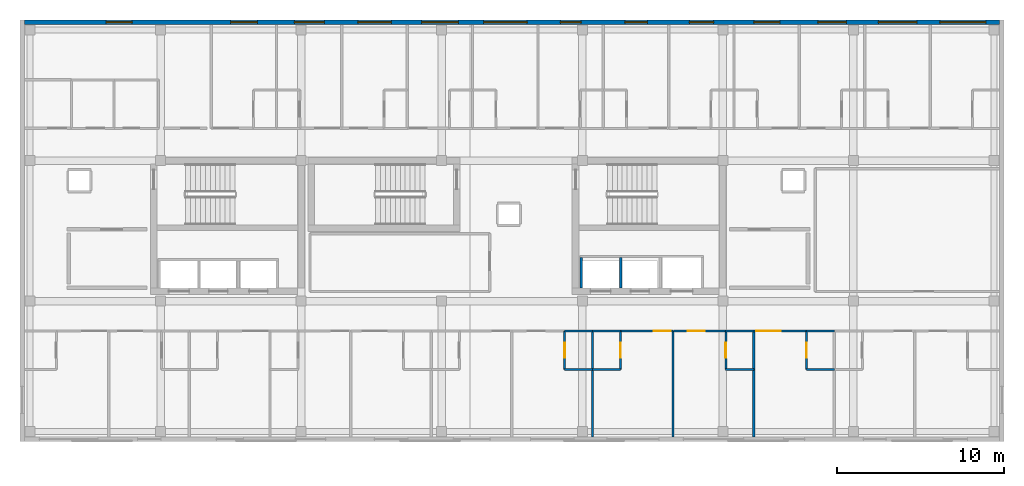
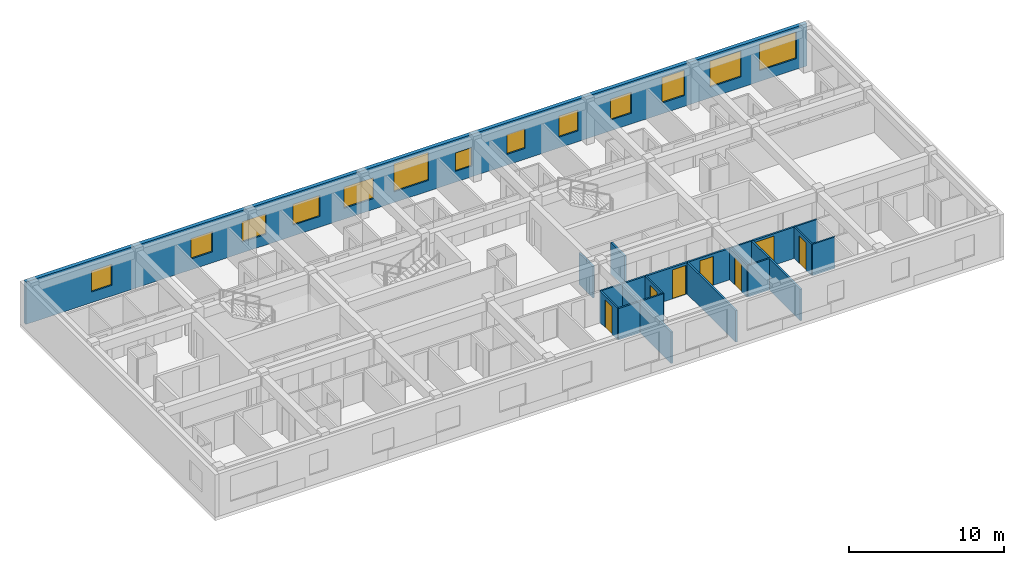
# One storey, part 5 of 9: 21 walls, 13 windows, 7 doors, 20 openings.
"""IFC4 building model written with IfcOpenShell, lengths in metres."""

from ifc_helpers import new_model, si_unit, direction, frame, frame_2d, origin, place, context, subcontext, project, spatial, rectangle, extrude, material, layer, layer_set, type_object, element, fill, save


model = new_model("IFC4")

# Units and contexts
model_context = context("Model", 3, precision=1e-05, world=origin(), true_north=direction((0.0, 1.0)))
body_context = subcontext(model_context, "Body", "Model", "MODEL_VIEW")
ifc_project = project(units=[si_unit("LENGTHUNIT", "METRE"), si_unit("AREAUNIT", "SQUARE_METRE"), si_unit("VOLUMEUNIT", "CUBIC_METRE"), si_unit("PLANEANGLEUNIT", "RADIAN"), si_unit("MASSUNIT", "GRAM", prefix="KILO")], contexts=[model_context])

# Site, building, storey
site_placement = place(None, origin())
site = spatial("IfcSite", under=ifc_project, at=site_placement, CompositionType="ELEMENT")
building_placement = place(site_placement, origin())
building = spatial("IfcBuilding", under=site, at=building_placement, Name="Zayran Congress Hotel", CompositionType="ELEMENT")
storey_placement = place(building_placement, frame((0.0, 0.0, 37.199951171875)))
storey = spatial("IfcBuildingStorey", under=building, at=storey_placement, Name="L09", CompositionType="ELEMENT", Elevation=37.199951171875)

# Wall, openings, windows
ifc_material_1 = material(Name="Hajar Ma'ani limestone cavity wall and concrete C32/40", Category="masonry")
ifc_layer_1 = layer(ifc_material_1, 0.280029296875)
ifc_layer_set_1 = layer_set([ifc_layer_1], Name="Hajar Ma'ani limestone cavity wall and concrete C32/40")
wall_type_1 = type_object("IfcWallType", Name="WL-EX-280", PredefinedType="SOLIDWALL", material=ifc_layer_set_1)
wall_1_placement = place(storey_placement, frame((17.080078125, 33.860107421875, 0.0), z_axis=(0.0, 0.0, 1.0), x_axis=(1.0, 0.0, 0.0)))
wall_1 = element("IfcWall", 1, at=wall_1_placement, inside=storey, type_object=wall_type_1, Name="EW-V5-N-L09", PredefinedType="SOLIDWALL", context=body_context, shape_type="SweptSolid", body=[
    extrude(rectangle(XDim=58.239990234375, YDim=0.280029296875, at=frame_2d((29.1201171875, 0.0))), origin(), (0.0, 0.0, 1.0), 3.340087890625),
])
opening_1_placement = place(wall_1_placement, frame((4.8701171875, 0.0, 0.85009765625)))
opening_1 = element("IfcOpeningElement", 2, at=opening_1_placement, cuts=wall_1, Name="Opening WN-26", PredefinedType="OPENING", context=body_context, shape_type="SweptSolid", body=[
    extrude(rectangle(XDim=1.550048828125, YDim=1.64990234375, at=frame_2d((0.77490234375, 0.824951171875))), frame((0.0, 0.14990234375, 0.0), z_axis=(0.0, -1.0, 0.0), x_axis=(1.0, 0.0, 0.0)), (0.0, 0.0, 1.0), 0.300048828125),
])
opening_2_placement = place(wall_1_placement, frame((12.302978515625, 0.0, 0.85009765625)))
opening_2 = element("IfcOpeningElement", 3, at=opening_2_placement, cuts=wall_1, Name="Opening WN-15", PredefinedType="OPENING", context=body_context, shape_type="SweptSolid", body=[
    extrude(rectangle(XDim=1.60009765625, YDim=1.60009765625, at=frame_2d((0.800048828125, 0.800048828125))), frame((0.0, 0.14990234375, 0.0), z_axis=(0.0, -1.0, 0.0), x_axis=(1.0, 0.0, 0.0)), (0.0, 0.0, 1.0), 0.300048828125),
])
opening_3_placement = place(wall_1_placement, frame((16.10888671875, 0.0, 0.85009765625)))
opening_3 = element("IfcOpeningElement", 4, at=opening_3_placement, cuts=wall_1, Name="Opening WN-16", PredefinedType="OPENING", context=body_context, shape_type="SweptSolid", body=[
    extrude(rectangle(XDim=1.800048828125, YDim=1.60009765625, at=frame_2d((0.89990234375, 0.800048828125))), frame((0.0, 0.14990234375, 0.0), z_axis=(0.0, -1.0, 0.0), x_axis=(1.0, 0.0, 0.0)), (0.0, 0.0, 1.0), 0.300048828125),
])
opening_4_placement = place(wall_1_placement, frame((19.9150390625, 0.0, 0.85009765625)))
opening_4 = element("IfcOpeningElement", 5, at=opening_4_placement, cuts=wall_1, Name="Opening WN-17", PredefinedType="OPENING", context=body_context, shape_type="SweptSolid", body=[
    extrude(rectangle(XDim=2.0, YDim=1.64990234375, at=frame_2d((1.0, 0.824951171875))), frame((0.0, 0.14990234375, 0.0), z_axis=(0.0, -1.0, 0.0), x_axis=(1.0, 0.0, 0.0)), (0.0, 0.0, 1.0), 0.300048828125),
])
opening_5_placement = place(wall_1_placement, frame((23.719970703125, 0.0, 0.85009765625)))
opening_5 = element("IfcOpeningElement", 6, at=opening_5_placement, cuts=wall_1, Name="Opening WN-18", PredefinedType="OPENING", context=body_context, shape_type="SweptSolid", body=[
    extrude(rectangle(XDim=2.199951171875, YDim=1.64990234375, at=frame_2d((1.10009765625, 0.824951171875))), frame((0.0, 0.14990234375, 0.0), z_axis=(0.0, -1.0, 0.0), x_axis=(1.0, 0.0, 0.0)), (0.0, 0.0, 1.0), 0.300048828125),
])
opening_6_placement = place(wall_1_placement, frame((27.426025390625, 0.0, 0.85009765625)))
opening_6 = element("IfcOpeningElement", 7, at=opening_6_placement, cuts=wall_1, Name="Opening WN-19", PredefinedType="OPENING", context=body_context, shape_type="SweptSolid", body=[
    extrude(rectangle(XDim=2.60009765625, YDim=2.199951171875, at=frame_2d((1.300048828125, 1.10009765625))), frame((0.0, 0.14990234375, 0.0), z_axis=(0.0, -1.0, 0.0), x_axis=(1.0, 0.0, 0.0)), (0.0, 0.0, 1.0), 0.300048828125),
])
opening_7_placement = place(wall_1_placement, frame((32.007080078125, 0.0, 0.85009765625)))
opening_7 = element("IfcOpeningElement", 8, at=opening_7_placement, cuts=wall_1, Name="Opening WN-23", PredefinedType="OPENING", context=body_context, shape_type="SweptSolid", body=[
    extrude(rectangle(XDim=1.25, YDim=1.449951171875, at=frame_2d((0.625, 0.72509765625))), frame((0.0, 0.14990234375, 0.0), z_axis=(0.0, -1.0, 0.0), x_axis=(1.0, 0.0, 0.0)), (0.0, 0.0, 1.0), 0.300048828125),
])
opening_8_placement = place(wall_1_placement, frame((35.863037109375, 0.0, 0.85009765625)))
opening_8 = element("IfcOpeningElement", 9, at=opening_8_placement, cuts=wall_1, Name="Opening WN-24", PredefinedType="OPENING", context=body_context, shape_type="SweptSolid", body=[
    extrude(rectangle(XDim=1.35009765625, YDim=1.550048828125, at=frame_2d((0.675048828125, 0.77490234375))), frame((0.0, 0.14990234375, 0.0), z_axis=(0.0, -1.0, 0.0), x_axis=(1.0, 0.0, 0.0)), (0.0, 0.0, 1.0), 0.300048828125),
])
opening_9_placement = place(wall_1_placement, frame((39.718994140625, 0.0, 0.85009765625)))
opening_9 = element("IfcOpeningElement", 10, at=opening_9_placement, cuts=wall_1, Name="Opening WN-25", PredefinedType="OPENING", context=body_context, shape_type="SweptSolid", body=[
    extrude(rectangle(XDim=1.449951171875, YDim=1.64990234375, at=frame_2d((0.72509765625, 0.824951171875))), frame((0.0, 0.14990234375, 0.0), z_axis=(0.0, -1.0, 0.0), x_axis=(1.0, 0.0, 0.0)), (0.0, 0.0, 1.0), 0.300048828125),
])
opening_10_placement = place(wall_1_placement, frame((43.574951171875, 0.0, 0.85009765625)))
opening_10 = element("IfcOpeningElement", 11, at=opening_10_placement, cuts=wall_1, Name="Opening WN-26", PredefinedType="OPENING", context=body_context, shape_type="SweptSolid", body=[
    extrude(rectangle(XDim=1.550048828125, YDim=1.64990234375, at=frame_2d((0.77490234375, 0.824951171875))), frame((0.0, 0.14990234375, 0.0), z_axis=(0.0, -1.0, 0.0), x_axis=(1.0, 0.0, 0.0)), (0.0, 0.0, 1.0), 0.300048828125),
])
opening_11_placement = place(wall_1_placement, frame((47.405029296875, 0.0, 0.85009765625)))
opening_11 = element("IfcOpeningElement", 12, at=opening_11_placement, cuts=wall_1, Name="Opening WN-27", PredefinedType="OPENING", context=body_context, shape_type="SweptSolid", body=[
    extrude(rectangle(XDim=1.699951171875, YDim=2.0, at=frame_2d((0.85009765625, 1.0))), frame((0.0, 0.14990234375, 0.0), z_axis=(0.0, -1.0, 0.0), x_axis=(1.0, 0.0, 0.0)), (0.0, 0.0, 1.0), 0.300048828125),
])
opening_12_placement = place(wall_1_placement, frame((51.010986328125, 0.0, 0.85009765625)))
opening_12 = element("IfcOpeningElement", 13, at=opening_12_placement, cuts=wall_1, Name="Opening WN-28", PredefinedType="OPENING", context=body_context, shape_type="SweptSolid", body=[
    extrude(rectangle(XDim=2.300048828125, YDim=2.050048828125, at=frame_2d((1.14990234375, 1.02490234375))), frame((0.0, 0.14990234375, 0.0), z_axis=(0.0, -1.0, 0.0), x_axis=(1.0, 0.0, 0.0)), (0.0, 0.0, 1.0), 0.300048828125),
])
opening_13_placement = place(wall_1_placement, frame((54.69189453125, 0.0, 0.85009765625)))
opening_13 = element("IfcOpeningElement", 14, at=opening_13_placement, cuts=wall_1, Name="Opening WN-29", PredefinedType="OPENING", context=body_context, shape_type="SweptSolid", body=[
    extrude(rectangle(XDim=2.75, YDim=2.10009765625, at=frame_2d((1.375, 1.050048828125))), frame((0.0, 0.14990234375, 0.0), z_axis=(0.0, -1.0, 0.0), x_axis=(1.0, 0.0, 0.0)), (0.0, 0.0, 1.0), 0.300048828125),
])
ifc_material_2 = material(Name="Anodised aluminium and low-E insulated glass", Category="aluminium")
window_type_1 = type_object("IfcWindowType", Name="TP-WN-15", PartitioningType="SINGLE_PANEL", PredefinedType="WINDOW", material=ifc_material_2)
window_1_placement = place(opening_2_placement, origin())
window_1 = element("IfcWindow", 15, at=window_1_placement, inside=storey, type_object=window_type_1, Name="WIN-V5N-L09-0430", OverallHeight=1.60009765625, OverallWidth=1.60009765625, PartitioningType="SINGLE_PANEL", PredefinedType="WINDOW", context=body_context, shape_type="SweptSolid", body=[
    extrude(rectangle(XDim=1.60009765625, YDim=1.60009765625, at=frame_2d((0.800048828125, 0.800048828125))), frame((0.0, 0.030029296875, 0.0), z_axis=(0.0, -1.0, 0.0), x_axis=(1.0, 0.0, 0.0)), (0.0, 0.0, 1.0), 0.06005859375),
])
fill(opening_2, window_1)
window_type_2 = type_object("IfcWindowType", Name="TP-WN-16", PartitioningType="DOUBLE_PANEL_VERTICAL", PredefinedType="WINDOW", material=ifc_material_2)
window_2_placement = place(opening_3_placement, origin())
window_2 = element("IfcWindow", 16, at=window_2_placement, inside=storey, type_object=window_type_2, Name="WIN-V5N-L09-0431", OverallHeight=1.60009765625, OverallWidth=1.800048828125, PartitioningType="SINGLE_PANEL", PredefinedType="WINDOW", context=body_context, shape_type="SweptSolid", body=[
    extrude(rectangle(XDim=1.800048828125, YDim=1.60009765625, at=frame_2d((0.89990234375, 0.800048828125))), frame((0.0, 0.030029296875, 0.0), z_axis=(0.0, -1.0, 0.0), x_axis=(1.0, 0.0, 0.0)), (0.0, 0.0, 1.0), 0.06005859375),
])
fill(opening_3, window_2)
window_type_3 = type_object("IfcWindowType", Name="TP-WN-17", PartitioningType="DOUBLE_PANEL_VERTICAL", PredefinedType="WINDOW", material=ifc_material_2)
window_3_placement = place(opening_4_placement, origin())
window_3 = element("IfcWindow", 17, at=window_3_placement, inside=storey, type_object=window_type_3, Name="WIN-V5N-L09-0432", OverallHeight=1.64990234375, OverallWidth=2.0, PartitioningType="SINGLE_PANEL", PredefinedType="WINDOW", context=body_context, shape_type="SweptSolid", body=[
    extrude(rectangle(XDim=2.0, YDim=1.64990234375, at=frame_2d((1.0, 0.824951171875))), frame((0.0, 0.030029296875, 0.0), z_axis=(0.0, -1.0, 0.0), x_axis=(1.0, 0.0, 0.0)), (0.0, 0.0, 1.0), 0.06005859375),
])
fill(opening_4, window_3)
window_type_4 = type_object("IfcWindowType", Name="TP-WN-18", PartitioningType="DOUBLE_PANEL_VERTICAL", PredefinedType="WINDOW", material=ifc_material_2)
window_4_placement = place(opening_5_placement, origin())
window_4 = element("IfcWindow", 18, at=window_4_placement, inside=storey, type_object=window_type_4, Name="WIN-V5N-L09-0433", OverallHeight=1.64990234375, OverallWidth=2.199951171875, PartitioningType="SINGLE_PANEL", PredefinedType="WINDOW", context=body_context, shape_type="SweptSolid", body=[
    extrude(rectangle(XDim=2.199951171875, YDim=1.64990234375, at=frame_2d((1.10009765625, 0.824951171875))), frame((0.0, 0.030029296875, 0.0), z_axis=(0.0, -1.0, 0.0), x_axis=(1.0, 0.0, 0.0)), (0.0, 0.0, 1.0), 0.06005859375),
])
fill(opening_5, window_4)
window_type_5 = type_object("IfcWindowType", Name="TP-WN-19", PartitioningType="DOUBLE_PANEL_VERTICAL", PredefinedType="WINDOW", material=ifc_material_2)
window_5_placement = place(opening_6_placement, origin())
window_5 = element("IfcWindow", 19, at=window_5_placement, inside=storey, type_object=window_type_5, Name="WIN-V5N-L09-0434", OverallHeight=2.199951171875, OverallWidth=2.60009765625, PartitioningType="SINGLE_PANEL", PredefinedType="WINDOW", context=body_context, shape_type="SweptSolid", body=[
    extrude(rectangle(XDim=2.60009765625, YDim=2.199951171875, at=frame_2d((1.300048828125, 1.10009765625))), frame((0.0, 0.030029296875, 0.0), z_axis=(0.0, -1.0, 0.0), x_axis=(1.0, 0.0, 0.0)), (0.0, 0.0, 1.0), 0.06005859375),
])
fill(opening_6, window_5)
window_type_6 = type_object("IfcWindowType", Name="TP-WN-23", PartitioningType="SINGLE_PANEL", PredefinedType="WINDOW", material=ifc_material_2)
window_6_placement = place(opening_7_placement, origin())
window_6 = element("IfcWindow", 20, at=window_6_placement, inside=storey, type_object=window_type_6, Name="WIN-V5N-L09-0435", OverallHeight=1.449951171875, OverallWidth=1.25, PartitioningType="SINGLE_PANEL", PredefinedType="WINDOW", context=body_context, shape_type="SweptSolid", body=[
    extrude(rectangle(XDim=1.25, YDim=1.449951171875, at=frame_2d((0.625, 0.72509765625))), frame((0.0, 0.030029296875, 0.0), z_axis=(0.0, -1.0, 0.0), x_axis=(1.0, 0.0, 0.0)), (0.0, 0.0, 1.0), 0.06005859375),
])
fill(opening_7, window_6)
window_type_7 = type_object("IfcWindowType", Name="TP-WN-24", PartitioningType="SINGLE_PANEL", PredefinedType="WINDOW", material=ifc_material_2)
window_7_placement = place(opening_8_placement, origin())
window_7 = element("IfcWindow", 21, at=window_7_placement, inside=storey, type_object=window_type_7, Name="WIN-V5N-L09-0436", OverallHeight=1.550048828125, OverallWidth=1.35009765625, PartitioningType="SINGLE_PANEL", PredefinedType="WINDOW", context=body_context, shape_type="SweptSolid", body=[
    extrude(rectangle(XDim=1.35009765625, YDim=1.550048828125, at=frame_2d((0.675048828125, 0.77490234375))), frame((0.0, 0.030029296875, 0.0), z_axis=(0.0, -1.0, 0.0), x_axis=(1.0, 0.0, 0.0)), (0.0, 0.0, 1.0), 0.06005859375),
])
fill(opening_8, window_7)
window_type_8 = type_object("IfcWindowType", Name="TP-WN-25", PartitioningType="SINGLE_PANEL", PredefinedType="WINDOW", material=ifc_material_2)
window_8_placement = place(opening_9_placement, origin())
window_8 = element("IfcWindow", 22, at=window_8_placement, inside=storey, type_object=window_type_8, Name="WIN-V5N-L09-0437", OverallHeight=1.64990234375, OverallWidth=1.449951171875, PartitioningType="SINGLE_PANEL", PredefinedType="WINDOW", context=body_context, shape_type="SweptSolid", body=[
    extrude(rectangle(XDim=1.449951171875, YDim=1.64990234375, at=frame_2d((0.72509765625, 0.824951171875))), frame((0.0, 0.030029296875, 0.0), z_axis=(0.0, -1.0, 0.0), x_axis=(1.0, 0.0, 0.0)), (0.0, 0.0, 1.0), 0.06005859375),
])
fill(opening_9, window_8)
window_type_9 = type_object("IfcWindowType", Name="TP-WN-26", PartitioningType="SINGLE_PANEL", PredefinedType="WINDOW", material=ifc_material_2)
window_9_placement = place(opening_1_placement, origin())
window_9 = element("IfcWindow", 23, at=window_9_placement, inside=storey, type_object=window_type_9, Name="WIN-V5N-L09-0429", OverallHeight=1.64990234375, OverallWidth=1.550048828125, PartitioningType="SINGLE_PANEL", PredefinedType="WINDOW", context=body_context, shape_type="SweptSolid", body=[
    extrude(rectangle(XDim=1.550048828125, YDim=1.64990234375, at=frame_2d((0.77490234375, 0.824951171875))), frame((0.0, 0.030029296875, 0.0), z_axis=(0.0, -1.0, 0.0), x_axis=(1.0, 0.0, 0.0)), (0.0, 0.0, 1.0), 0.06005859375),
])
fill(opening_1, window_9)
window_10_placement = place(opening_10_placement, origin())
window_10 = element("IfcWindow", 24, at=window_10_placement, inside=storey, type_object=window_type_9, Name="WIN-V5N-L09-0438", OverallHeight=1.64990234375, OverallWidth=1.550048828125, PartitioningType="SINGLE_PANEL", PredefinedType="WINDOW", context=body_context, shape_type="SweptSolid", body=[
    extrude(rectangle(XDim=1.550048828125, YDim=1.64990234375, at=frame_2d((0.77490234375, 0.824951171875))), frame((0.0, 0.030029296875, 0.0), z_axis=(0.0, -1.0, 0.0), x_axis=(1.0, 0.0, 0.0)), (0.0, 0.0, 1.0), 0.06005859375),
])
fill(opening_10, window_10)
window_type_10 = type_object("IfcWindowType", Name="TP-WN-27", PartitioningType="DOUBLE_PANEL_VERTICAL", PredefinedType="WINDOW", material=ifc_material_2)
window_11_placement = place(opening_11_placement, origin())
window_11 = element("IfcWindow", 25, at=window_11_placement, inside=storey, type_object=window_type_10, Name="WIN-V5N-L09-0439", OverallHeight=2.0, OverallWidth=1.699951171875, PartitioningType="SINGLE_PANEL", PredefinedType="WINDOW", context=body_context, shape_type="SweptSolid", body=[
    extrude(rectangle(XDim=1.699951171875, YDim=2.0, at=frame_2d((0.85009765625, 1.0))), frame((0.0, 0.030029296875, 0.0), z_axis=(0.0, -1.0, 0.0), x_axis=(1.0, 0.0, 0.0)), (0.0, 0.0, 1.0), 0.06005859375),
])
fill(opening_11, window_11)
window_type_11 = type_object("IfcWindowType", Name="TP-WN-28", PartitioningType="DOUBLE_PANEL_VERTICAL", PredefinedType="WINDOW", material=ifc_material_2)
window_12_placement = place(opening_12_placement, origin())
window_12 = element("IfcWindow", 26, at=window_12_placement, inside=storey, type_object=window_type_11, Name="WIN-V5N-L09-0440", OverallHeight=2.050048828125, OverallWidth=2.300048828125, PartitioningType="SINGLE_PANEL", PredefinedType="WINDOW", context=body_context, shape_type="SweptSolid", body=[
    extrude(rectangle(XDim=2.300048828125, YDim=2.050048828125, at=frame_2d((1.14990234375, 1.02490234375))), frame((0.0, 0.030029296875, 0.0), z_axis=(0.0, -1.0, 0.0), x_axis=(1.0, 0.0, 0.0)), (0.0, 0.0, 1.0), 0.06005859375),
])
fill(opening_12, window_12)
window_type_12 = type_object("IfcWindowType", Name="TP-WN-29", PartitioningType="TRIPLE_PANEL_VERTICAL", PredefinedType="WINDOW", material=ifc_material_2)
window_13_placement = place(opening_13_placement, origin())
window_13 = element("IfcWindow", 27, at=window_13_placement, inside=storey, type_object=window_type_12, Name="WIN-V5N-L09-0441", OverallHeight=2.10009765625, OverallWidth=2.75, PartitioningType="SINGLE_PANEL", PredefinedType="WINDOW", context=body_context, shape_type="SweptSolid", body=[
    extrude(rectangle(XDim=2.75, YDim=2.10009765625, at=frame_2d((1.375, 1.050048828125))), frame((0.0, 0.030029296875, 0.0), z_axis=(0.0, -1.0, 0.0), x_axis=(1.0, 0.0, 0.0)), (0.0, 0.0, 1.0), 0.06005859375),
])
fill(opening_13, window_13)

# Walls
ifc_material_3 = material(Name="Hospitality guestroom acoustic partition", Category="gypsum")
ifc_layer_2 = layer(ifc_material_3, 0.139892578125)
ifc_layer_set_2 = layer_set([ifc_layer_2], Name="Hospitality guestroom acoustic partition")
wall_type_2 = type_object("IfcWallType", Name="WL-PT-140", PredefinedType="PARTITIONING", material=ifc_layer_set_2)
for number, where, z_axis, x_axis, name in (
    (28, (50.330078125, 18.0, 0.0), (0.0, 0.0, 1.0), (0.0, 1.0, 0.0), "LSHW-C-V5E-L09-W"),
    (29, (52.699951171875, 18.0, 0.0), (0.0, 0.0, 1.0), (0.0, 1.0, 0.0), "LSHW-C-V5E-L09-DIV1"),
):
    element("IfcWall", number, at=place(storey_placement, frame(where, z_axis=z_axis, x_axis=x_axis)), inside=storey, type_object=wall_type_2, Name=name, PredefinedType="PARTITIONING", context=body_context, shape_type="SweptSolid", body=[
        extrude(rectangle(XDim=1.800048828125, YDim=0.139892578125, at=frame_2d((0.89990234375, 0.0))), origin(), (0.0, 0.0, 1.0), 2.469970703125),
    ])

# Wall, opening, door
wall_2_placement = place(storey_placement, frame((52.68701171875, 15.419921875, 0.0), z_axis=(0.0, 0.0, 1.0), x_axis=(1.0, 0.0, 0.0)))
wall_2 = element("IfcWall", 30, at=wall_2_placement, inside=storey, type_object=wall_type_2, Name="IW-L09-0793", PredefinedType="PARTITIONING", context=body_context, shape_type="SweptSolid", body=[
    extrude(rectangle(XDim=3.135986328125, YDim=0.139892578125, at=frame_2d((1.56787109375, 0.0))), origin(), (0.0, 0.0, 1.0), 2.47998046875),
])
opening_14_placement = place(wall_2_placement, frame((1.99609375, 0.0, 0.0)))
opening_14 = element("IfcOpeningElement", 31, at=opening_14_placement, cuts=wall_2, Name="Opening DR-GR-04", PredefinedType="OPENING", context=body_context, shape_type="SweptSolid", body=[
    extrude(rectangle(XDim=1.0, YDim=2.280029296875, at=frame_2d((0.5, 1.14013671875))), frame((0.0, 0.079833984375, 0.0), z_axis=(0.0, -1.0, 0.0), x_axis=(1.0, 0.0, 0.0)), (0.0, 0.0, 1.0), 0.159912109375),
])
ifc_material_4 = material(Name="Diplomatic walnut veneer entry door", Category="wood")
door_type_1 = type_object("IfcDoorType", Name="TP-DR-GR-04", OperationType="NOTDEFINED", PredefinedType="DOOR", material=ifc_material_4)
door_1_placement = place(opening_14_placement, origin())
door_1 = element("IfcDoor", 32, at=door_1_placement, inside=storey, type_object=door_type_1, Name="Guest Room L09-08 Door", OperationType="SINGLE_SWING_RIGHT", OverallHeight=2.280029296875, OverallWidth=1.0, PredefinedType="DOOR", context=body_context, shape_type="SweptSolid", body=[
    extrude(rectangle(XDim=1.0, YDim=2.280029296875, at=frame_2d((0.5, 1.14013671875))), frame((0.0, 0.02490234375, 0.0), z_axis=(0.0, -1.0, 0.0), x_axis=(1.0, 0.0, 0.0)), (0.0, 0.0, 1.0), 0.050048828125),
])
fill(opening_14, door_1)

wall_3_placement = place(storey_placement, frame((55.843017578125, 15.419921875, 0.0), z_axis=(0.0, 0.0, 1.0), x_axis=(1.0, 0.0, 0.0)))
wall_3 = element("IfcWall", 33, at=wall_3_placement, inside=storey, type_object=wall_type_2, Name="IW-L09-0794", PredefinedType="PARTITIONING", context=body_context, shape_type="SweptSolid", body=[
    extrude(rectangle(XDim=3.136962890625, YDim=0.139892578125, at=frame_2d((1.568359375, 0.0))), origin(), (0.0, 0.0, 1.0), 2.47998046875),
])
opening_15_placement = place(wall_3_placement, frame((0.8701171875, 0.0, 0.0)))
opening_15 = element("IfcOpeningElement", 34, at=opening_15_placement, cuts=wall_3, Name="Opening DR-GR-04", PredefinedType="OPENING", context=body_context, shape_type="SweptSolid", body=[
    extrude(rectangle(XDim=1.0, YDim=2.280029296875, at=frame_2d((0.5, 1.14013671875))), frame((0.0, 0.079833984375, 0.0), z_axis=(0.0, -1.0, 0.0), x_axis=(1.0, 0.0, 0.0)), (0.0, 0.0, 1.0), 0.159912109375),
])
door_2_placement = place(opening_15_placement, origin())
door_2 = element("IfcDoor", 35, at=door_2_placement, inside=storey, type_object=door_type_1, Name="Guest Room L09-09 Door", OperationType="SINGLE_SWING_LEFT", OverallHeight=2.280029296875, OverallWidth=1.0, PredefinedType="DOOR", context=body_context, shape_type="SweptSolid", body=[
    extrude(rectangle(XDim=1.0, YDim=2.280029296875, at=frame_2d((0.5, 1.14013671875))), frame((0.0, 0.02490234375, 0.0), z_axis=(0.0, -1.0, 0.0), x_axis=(1.0, 0.0, 0.0)), (0.0, 0.0, 1.0), 0.050048828125),
])
fill(opening_15, door_2)

wall_4_placement = place(storey_placement, frame((60.659912109375, 15.419921875, 0.0), z_axis=(0.0, 0.0, 1.0), x_axis=(1.0, 0.0, 0.0)))
wall_4 = element("IfcWall", 36, at=wall_4_placement, inside=storey, type_object=wall_type_2, Name="IW-L09-0795", PredefinedType="PARTITIONING", context=body_context, shape_type="SweptSolid", body=[
    extrude(rectangle(XDim=3.13720703125, YDim=0.139892578125, at=frame_2d((1.568603515625, 0.0))), origin(), (0.0, 0.0, 1.0), 2.47998046875),
])
opening_16_placement = place(wall_4_placement, frame((0.139892578125, 0.0, 0.0)))
opening_16 = element("IfcOpeningElement", 37, at=opening_16_placement, cuts=wall_4, Name="Opening DR-ST-01", PredefinedType="OPENING", context=body_context, shape_type="SweptSolid", body=[
    extrude(rectangle(XDim=1.449951171875, YDim=2.300048828125, at=frame_2d((0.72509765625, 1.14990234375))), frame((0.0, 0.079833984375, 0.0), z_axis=(0.0, -1.0, 0.0), x_axis=(1.0, 0.0, 0.0)), (0.0, 0.0, 1.0), 0.159912109375),
])
ifc_material_5 = material(Name="Double walnut veneer suite entry door", Category="wood")
door_type_2 = type_object("IfcDoorType", Name="TP-DR-ST-01", OperationType="DOUBLE_DOOR_SINGLE_SWING", PredefinedType="DOOR", material=ifc_material_5)
door_3_placement = place(opening_16_placement, origin())
door_3 = element("IfcDoor", 38, at=door_3_placement, inside=storey, type_object=door_type_2, Name="Junior Suite L09-10 Door", OperationType="DOUBLE_DOOR_SINGLE_SWING", OverallHeight=2.300048828125, OverallWidth=1.449951171875, PredefinedType="DOOR", context=body_context, shape_type="SweptSolid", body=[
    extrude(rectangle(XDim=1.449951171875, YDim=2.300048828125, at=frame_2d((0.72509765625, 1.14990234375))), frame((0.0, 0.02490234375, 0.0), z_axis=(0.0, -1.0, 0.0), x_axis=(1.0, 0.0, 0.0)), (0.0, 0.0, 1.0), 0.050048828125),
])
fill(opening_16, door_3)

# Walls
for number, where, z_axis, x_axis, name in (
    (39, (51.007080078125, 9.080078125, 0.0), (0.0, 0.0, 1.0), (0.0, 1.0, 0.0), "IW-L09-2128"),
    (40, (55.822998046875, 9.080078125, 0.0), (0.0, 0.0, 1.0), (0.0, 1.0, 0.0), "IW-L09-2129"),
    (41, (60.639892578125, 9.080078125, 0.0), (0.0, 0.0, 1.0), (0.0, 1.0, 0.0), "IW-L09-2130"),
):
    element("IfcWall", number, at=place(storey_placement, frame(where, z_axis=z_axis, x_axis=x_axis)), inside=storey, type_object=wall_type_2, Name=name, PredefinedType="PARTITIONING", context=body_context, shape_type="SweptSolid", body=[
        extrude(rectangle(XDim=6.349853515625, YDim=0.139892578125, at=frame_2d((3.1748046875, 0.0))), origin(), (0.0, 0.0, 1.0), 2.47998046875),
    ])

# Wall, opening, door
ifc_material_6 = material(Name="Moisture-resistant bathroom partition", Category="gypsum")
ifc_layer_3 = layer(ifc_material_6, 0.1201171875)
ifc_layer_set_3 = layer_set([ifc_layer_3], Name="Moisture-resistant bathroom partition")
wall_type_3 = type_object("IfcWallType", Name="WL-PT-120", PredefinedType="PARTITIONING", material=ifc_layer_set_3)
wall_5_placement = place(storey_placement, frame((49.346923828125, 13.1201171875, 0.0), z_axis=(0.0, 0.0, 1.0), x_axis=(0.0, 1.0, 0.0)))
wall_5 = element("IfcWall", 42, at=wall_5_placement, inside=storey, type_object=wall_type_3, Name="IW-L09-0277", PredefinedType="PARTITIONING", context=body_context, shape_type="SweptSolid", body=[
    extrude(rectangle(XDim=2.309814453125, YDim=0.1201171875, at=frame_2d((1.15478515625, 0.0))), origin(), (0.0, 0.0, 1.0), 2.47998046875),
])
opening_17_placement = place(wall_5_placement, frame((0.705078125, 0.0, 0.0)))
opening_17 = element("IfcOpeningElement", 43, at=opening_17_placement, cuts=wall_5, Name="Opening DR-BT-03", PredefinedType="OPENING", context=body_context, shape_type="SweptSolid", body=[
    extrude(rectangle(XDim=0.89990234375, YDim=2.179931640625, at=frame_2d((0.449951171875, 1.08984375))), frame((0.0, 0.070068359375, 0.0), z_axis=(0.0, -1.0, 0.0), x_axis=(1.0, 0.0, 0.0)), (0.0, 0.0, 1.0), 0.14013671875),
])
ifc_material_7 = material(Name="Suite oak en-suite bathroom door", Category="wood")
door_type_3 = type_object("IfcDoorType", Name="TP-DR-BT-03", OperationType="NOTDEFINED", PredefinedType="DOOR", material=ifc_material_7)
door_4_placement = place(opening_17_placement, origin())
door_4 = element("IfcDoor", 44, at=door_4_placement, inside=storey, type_object=door_type_3, Name="En-Suite Bathroom L09-07 Door", OperationType="SINGLE_SWING_RIGHT", OverallHeight=2.179931640625, OverallWidth=0.89990234375, PredefinedType="DOOR", context=body_context, shape_type="SweptSolid", body=[
    extrude(rectangle(XDim=0.89990234375, YDim=2.179931640625, at=frame_2d((0.449951171875, 1.08984375))), frame((0.0, 0.02490234375, 0.0), z_axis=(0.0, -1.0, 0.0), x_axis=(1.0, 0.0, 0.0)), (0.0, 0.0, 1.0), 0.050048828125),
])
fill(opening_17, door_4)

wall_6_placement = place(storey_placement, frame((52.68701171875, 13.1201171875, 0.0), z_axis=(0.0, 0.0, 1.0), x_axis=(0.0, 1.0, 0.0)))
wall_6 = element("IfcWall", 45, at=wall_6_placement, inside=storey, type_object=wall_type_3, Name="IW-L09-0278", PredefinedType="PARTITIONING", context=body_context, shape_type="SweptSolid", body=[
    extrude(rectangle(XDim=2.309814453125, YDim=0.1201171875, at=frame_2d((1.15478515625, 0.0))), origin(), (0.0, 0.0, 1.0), 2.47998046875),
])
opening_18_placement = place(wall_6_placement, frame((0.705078125, 0.0, 0.0)))
opening_18 = element("IfcOpeningElement", 46, at=opening_18_placement, cuts=wall_6, Name="Opening DR-BT-03", PredefinedType="OPENING", context=body_context, shape_type="SweptSolid", body=[
    extrude(rectangle(XDim=0.89990234375, YDim=2.179931640625, at=frame_2d((0.449951171875, 1.08984375))), frame((0.0, 0.070068359375, 0.0), z_axis=(0.0, -1.0, 0.0), x_axis=(1.0, 0.0, 0.0)), (0.0, 0.0, 1.0), 0.14013671875),
])
door_5_placement = place(opening_18_placement, origin())
door_5 = element("IfcDoor", 47, at=door_5_placement, inside=storey, type_object=door_type_3, Name="En-Suite Bathroom L09-08 Door", OperationType="SINGLE_SWING_LEFT", OverallHeight=2.179931640625, OverallWidth=0.89990234375, PredefinedType="DOOR", context=body_context, shape_type="SweptSolid", body=[
    extrude(rectangle(XDim=0.89990234375, YDim=2.179931640625, at=frame_2d((0.449951171875, 1.08984375))), frame((0.0, 0.02490234375, 0.0), z_axis=(0.0, -1.0, 0.0), x_axis=(1.0, 0.0, 0.0)), (0.0, 0.0, 1.0), 0.050048828125),
])
fill(opening_18, door_5)

wall_7_placement = place(storey_placement, frame((58.97998046875, 13.1201171875, 0.0), z_axis=(0.0, 0.0, 1.0), x_axis=(0.0, 1.0, 0.0)))
wall_7 = element("IfcWall", 48, at=wall_7_placement, inside=storey, type_object=wall_type_3, Name="IW-L09-0279", PredefinedType="PARTITIONING", context=body_context, shape_type="SweptSolid", body=[
    extrude(rectangle(XDim=2.309814453125, YDim=0.1201171875, at=frame_2d((1.15478515625, 0.0))), origin(), (0.0, 0.0, 1.0), 2.47998046875),
])
opening_19_placement = place(wall_7_placement, frame((0.705078125, 0.0, 0.0)))
opening_19 = element("IfcOpeningElement", 49, at=opening_19_placement, cuts=wall_7, Name="Opening DR-BT-03", PredefinedType="OPENING", context=body_context, shape_type="SweptSolid", body=[
    extrude(rectangle(XDim=0.89990234375, YDim=2.179931640625, at=frame_2d((0.449951171875, 1.08984375))), frame((0.0, 0.070068359375, 0.0), z_axis=(0.0, -1.0, 0.0), x_axis=(1.0, 0.0, 0.0)), (0.0, 0.0, 1.0), 0.14013671875),
])
door_6_placement = place(opening_19_placement, origin())
door_6 = element("IfcDoor", 50, at=door_6_placement, inside=storey, type_object=door_type_3, Name="En-Suite Bathroom L09-09 Door", OperationType="SINGLE_SWING_RIGHT", OverallHeight=2.179931640625, OverallWidth=0.89990234375, PredefinedType="DOOR", context=body_context, shape_type="SweptSolid", body=[
    extrude(rectangle(XDim=0.89990234375, YDim=2.179931640625, at=frame_2d((0.449951171875, 1.08984375))), frame((0.0, 0.02490234375, 0.0), z_axis=(0.0, -1.0, 0.0), x_axis=(1.0, 0.0, 0.0)), (0.0, 0.0, 1.0), 0.050048828125),
])
fill(opening_19, door_6)

wall_8_placement = place(storey_placement, frame((63.797119140625, 13.1201171875, 0.0), z_axis=(0.0, 0.0, 1.0), x_axis=(0.0, 1.0, 0.0)))
wall_8 = element("IfcWall", 51, at=wall_8_placement, inside=storey, type_object=wall_type_3, Name="IW-L09-0280", PredefinedType="PARTITIONING", context=body_context, shape_type="SweptSolid", body=[
    extrude(rectangle(XDim=2.309814453125, YDim=0.1201171875, at=frame_2d((1.15478515625, 0.0))), origin(), (0.0, 0.0, 1.0), 2.47998046875),
])
opening_20_placement = place(wall_8_placement, frame((0.705078125, 0.0, 0.0)))
opening_20 = element("IfcOpeningElement", 52, at=opening_20_placement, cuts=wall_8, Name="Opening DR-BT-03", PredefinedType="OPENING", context=body_context, shape_type="SweptSolid", body=[
    extrude(rectangle(XDim=0.89990234375, YDim=2.179931640625, at=frame_2d((0.449951171875, 1.08984375))), frame((0.0, 0.070068359375, 0.0), z_axis=(0.0, -1.0, 0.0), x_axis=(1.0, 0.0, 0.0)), (0.0, 0.0, 1.0), 0.14013671875),
])
door_7_placement = place(opening_20_placement, origin())
door_7 = element("IfcDoor", 53, at=door_7_placement, inside=storey, type_object=door_type_3, Name="En-Suite Bathroom L09-10 Door", OperationType="SINGLE_SWING_LEFT", OverallHeight=2.179931640625, OverallWidth=0.89990234375, PredefinedType="DOOR", context=body_context, shape_type="SweptSolid", body=[
    extrude(rectangle(XDim=0.89990234375, YDim=2.179931640625, at=frame_2d((0.449951171875, 1.08984375))), frame((0.0, 0.02490234375, 0.0), z_axis=(0.0, -1.0, 0.0), x_axis=(1.0, 0.0, 0.0)), (0.0, 0.0, 1.0), 0.050048828125),
])
fill(opening_20, door_7)

# Walls
for number, where, z_axis, x_axis, name in (
    (54, (49.3369140625, 13.1298828125, 0.0), (0.0, 0.0, 1.0), (1.0, 0.0, 0.0), "IW-L09-1421"),
    (55, (49.3369140625, 15.419921875, 0.0), (0.0, 0.0, 1.0), (1.0, 0.0, 0.0), "IW-L09-1422"),
):
    element("IfcWall", number, at=place(storey_placement, frame(where, z_axis=z_axis, x_axis=x_axis)), inside=storey, type_object=wall_type_3, Name=name, PredefinedType="PARTITIONING", context=body_context, shape_type="SweptSolid", body=[
        extrude(rectangle(XDim=1.68017578125, YDim=0.1201171875, at=frame_2d((0.840087890625, 0.0))), origin(), (0.0, 0.0, 1.0), 2.47998046875),
    ])
wall_9_placement = place(storey_placement, frame((51.01708984375, 13.1298828125, 0.0), z_axis=(0.0, 0.0, 1.0), x_axis=(1.0, 0.0, 0.0)))
element("IfcWall", 56, at=wall_9_placement, inside=storey, type_object=wall_type_3, Name="IW-L09-1423", PredefinedType="PARTITIONING", context=body_context, shape_type="SweptSolid", body=[
    extrude(rectangle(XDim=1.679931640625, YDim=0.1201171875, at=frame_2d((0.83984375, 0.0))), origin(), (0.0, 0.0, 1.0), 2.47998046875),
])
wall_10_placement = place(storey_placement, frame((51.01708984375, 15.419921875, 0.0), z_axis=(0.0, 0.0, 1.0), x_axis=(1.0, 0.0, 0.0)))
element("IfcWall", 57, at=wall_10_placement, inside=storey, type_object=wall_type_3, Name="IW-L09-1424", PredefinedType="PARTITIONING", context=body_context, shape_type="SweptSolid", body=[
    extrude(rectangle(XDim=1.669921875, YDim=0.1201171875, at=frame_2d((0.8349609375, 0.0))), origin(), (0.0, 0.0, 1.0), 2.47998046875),
])
for number, where, z_axis, x_axis, name in (
    (58, (58.969970703125, 13.1298828125, 0.0), (0.0, 0.0, 1.0), (1.0, 0.0, 0.0), "IW-L09-1425"),
    (59, (58.969970703125, 15.419921875, 0.0), (0.0, 0.0, 1.0), (1.0, 0.0, 0.0), "IW-L09-1426"),
    (60, (63.787109375, 13.1298828125, 0.0), (0.0, 0.0, 1.0), (1.0, 0.0, 0.0), "IW-L09-1427"),
    (61, (63.787109375, 15.419921875, 0.0), (0.0, 0.0, 1.0), (1.0, 0.0, 0.0), "IW-L09-1428"),
):
    element("IfcWall", number, at=place(storey_placement, frame(where, z_axis=z_axis, x_axis=x_axis)), inside=storey, type_object=wall_type_3, Name=name, PredefinedType="PARTITIONING", context=body_context, shape_type="SweptSolid", body=[
        extrude(rectangle(XDim=1.679931640625, YDim=0.1201171875, at=frame_2d((0.83984375, 0.0))), origin(), (0.0, 0.0, 1.0), 2.47998046875),
    ])

save(model, "model.ifc")
